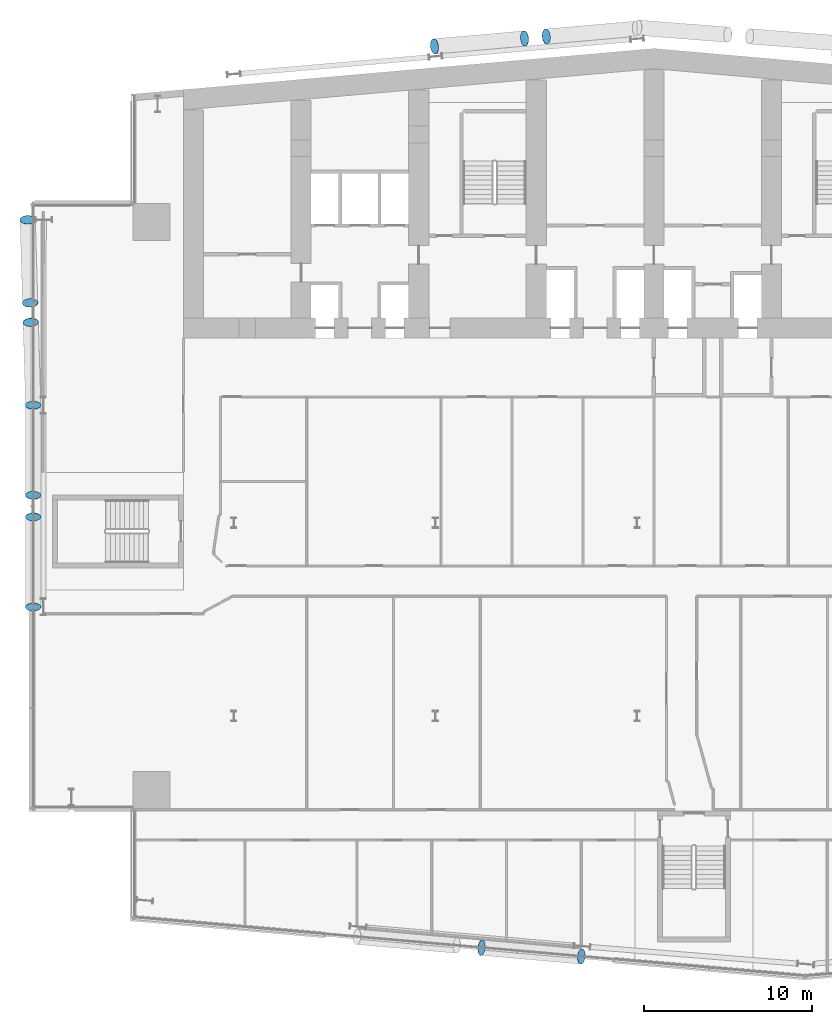
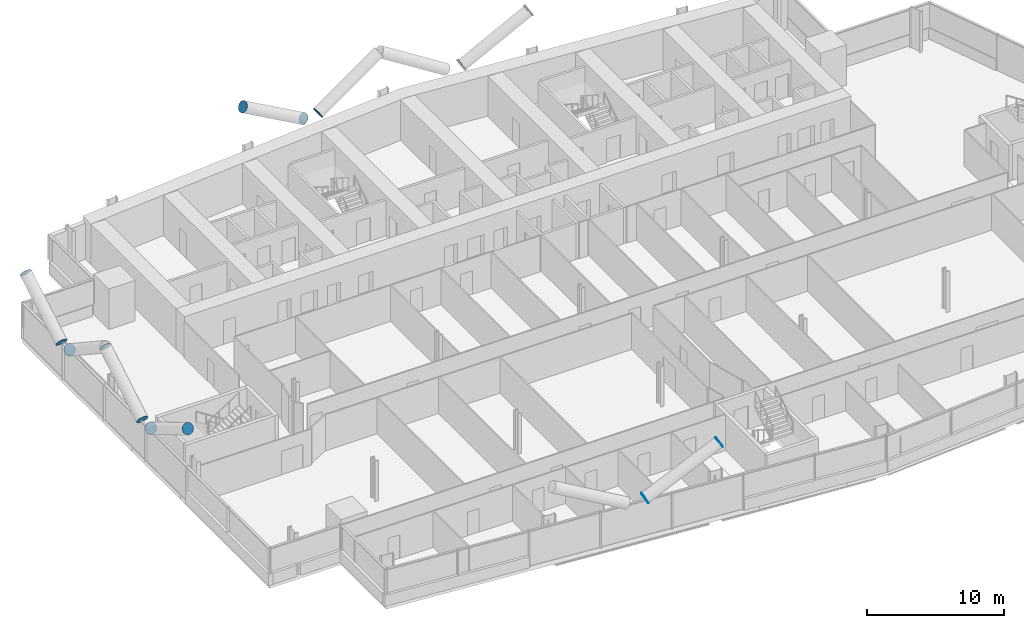
# One storey, part 21 of 27: 12 discrete accessories.
"""IFC4 building model written with IfcOpenShell, lengths in metres."""

import ifcopenshell
import ifcopenshell.guid

model = None  # the IFC model being written
_history = None  # IfcOwnerHistory: only IFC2X3 demands one
_inside = {}  # id of a spatial element -> (the spatial element, [elements in it])
_under = {}  # id of a project, library or spatial element -> (it, [spatial elements below it])
_declared = {}  # id of a project -> (the project, [libraries it declares])
_typed = {}  # id of a type object -> (the type object, [elements of that type])
_made_of = {}  # id of a material, layer set ... -> (it, [elements and type objects made of it])


def new_model(schema):
    """Start an empty IFC model of exactly this schema.

    Asked for "IFC4X3", IfcOpenShell would pick the latest addendum, in which some entities
    have other attributes; the version numbers below select the first issue.
    IFC2X3 requires an IfcOwnerHistory on every rooted entity: one is made here for all.
    """
    global model, _history
    if schema == "IFC4X3":
        model = ifcopenshell.file(schema_version=(4, 3, 0, 0))
    else:
        model = ifcopenshell.file(schema=schema)
    _inside.clear()
    _under.clear()
    _declared.clear()
    _typed.clear()
    _made_of.clear()
    _history = None
    if model.schema == "IFC2X3":
        org = make("IfcOrganization", Name="unknown")
        user = make(
            "IfcPersonAndOrganization",
            ThePerson=make("IfcPerson", FamilyName="unknown"),
            TheOrganization=org,
        )
        app = make(
            "IfcApplication",
            ApplicationDeveloper=org,
            Version="unknown",
            ApplicationFullName="unknown",
            ApplicationIdentifier="unknown",
        )
        _history = make(
            "IfcOwnerHistory",
            OwningUser=user,
            OwningApplication=app,
            ChangeAction="ADDED",
            CreationDate=0,
        )
    return model


def make(cls, **values):
    """One entity of the class cls with the attributes given. An attribute that is None is left unset."""
    return model.create_entity(
        cls, **{name: value for name, value in values.items() if value is not None}
    )


def rooted(cls, **values):
    """An entity with a GlobalId (a new one), such as an element, a storey or a relation."""
    return make(cls, GlobalId=ifcopenshell.guid.new(), OwnerHistory=_history, **values)


def si_unit(unit_type, name, prefix=None):
    """IfcSIUnit, for example si_unit("LENGTHUNIT", "METRE", prefix="MILLI")."""
    return make("IfcSIUnit", UnitType=unit_type, Prefix=prefix, Name=name)


def assignment(units):
    """IfcUnitAssignment: the units of a project."""
    return None if units is None else make("IfcUnitAssignment", Units=units)


def point(xyz):
    """IfcCartesianPoint."""
    return None if xyz is None else make("IfcCartesianPoint", Coordinates=xyz)


def direction(xyz):
    """IfcDirection."""
    return None if xyz is None else make("IfcDirection", DirectionRatios=xyz)


def frame(location, z_axis=None, x_axis=None):
    """IfcAxis2Placement3D, a coordinate frame: its origin and axes. An axis left out is left unset."""
    return make(
        "IfcAxis2Placement3D",
        Location=point(location),
        Axis=direction(z_axis),
        RefDirection=direction(x_axis),
    )


def frame_2d(location, x_axis=None):
    """IfcAxis2Placement2D, a coordinate frame in the plane: its origin and x axis."""
    return make(
        "IfcAxis2Placement2D", Location=point(location), RefDirection=direction(x_axis)
    )


def origin():
    """The frame at (0, 0, 0) with its axes left unset."""
    return frame((0.0, 0.0, 0.0))


def origin_2d():
    """The frame at (0, 0) in the plane with its x axis left unset."""
    return frame_2d((0.0, 0.0))


def place(relative_to, where):
    """IfcLocalPlacement: puts the frame where relative to a parent placement (None: the world)."""
    return make(
        "IfcLocalPlacement", PlacementRelTo=relative_to, RelativePlacement=where
    )


def context(
    kind, dimensions, precision=None, world=None, true_north=None, identifier=None
):
    """IfcGeometricRepresentationContext, for example the 3D "Model" context."""
    return make(
        "IfcGeometricRepresentationContext",
        ContextIdentifier=identifier,
        ContextType=kind,
        CoordinateSpaceDimension=dimensions,
        Precision=precision,
        WorldCoordinateSystem=world,
        TrueNorth=true_north,
    )


def subcontext(parent, identifier, kind, view, scale=None):
    """IfcGeometricRepresentationSubContext, for example "Body" below "Model"."""
    return make(
        "IfcGeometricRepresentationSubContext",
        ContextIdentifier=identifier,
        ContextType=kind,
        ParentContext=parent,
        TargetScale=scale,
        TargetView=view,
    )


def project(units=None, contexts=None):
    """IfcProject with its units and contexts."""
    return rooted(
        "IfcProject",
        Name="project",
        RepresentationContexts=contexts,
        UnitsInContext=assignment(units),
    )


def spatial(cls, under=None, at=None, **own):
    """A site, building, storey or space (cls), placed at a placement, below another one or the project."""
    s = rooted(cls, ObjectPlacement=at, **own)
    if under is not None:
        _under.setdefault(under.id(), (under, []))[1].append(s)
    return s


def profile(cls, at=None, kind="AREA", **sizes):
    """A parametric profile (cls). Its sizes go by their IFC names, for example OverallWidth=200.0."""
    return make(cls, ProfileType=kind, Position=at, **sizes)


def circle(**sizes):
    """IfcCircleProfileDef."""
    return profile("IfcCircleProfileDef", **sizes)


def extrude(swept, where, along, depth):
    """IfcExtrudedAreaSolid: the profile swept, set in the frame where, extruded along a direction by depth."""
    return make(
        "IfcExtrudedAreaSolid",
        SweptArea=swept,
        Position=where,
        ExtrudedDirection=direction(along),
        Depth=depth,
    )


def shape(context_of_items, identifier, shape_type, items):
    """IfcShapeRepresentation: the items that make up one representation, for example the "Body"."""
    return make(
        "IfcShapeRepresentation",
        ContextOfItems=context_of_items,
        RepresentationIdentifier=identifier,
        RepresentationType=shape_type,
        Items=items,
    )


def material(Name=None, Category=None):
    """IfcMaterial."""
    return make("IfcMaterial", Name=Name, Category=Category)


def material_profile(
    of_material, cross_section, Name=None, Category=None, Priority=None
):
    """IfcMaterialProfile: a cross section and its material."""
    return make(
        "IfcMaterialProfile",
        Name=Name,
        Material=of_material,
        Profile=cross_section,
        Priority=Priority,
        Category=Category,
    )


def profile_set(profiles, Name=None, composite=None):
    """IfcMaterialProfileSet."""
    return make(
        "IfcMaterialProfileSet",
        Name=Name,
        MaterialProfiles=profiles,
        CompositeProfile=composite,
    )


def made_of(thing, what):
    """Note that an element or type object is made of a material, layer set ...; save() writes the relation."""
    if what is not None:
        _made_of.setdefault(what.id(), (what, []))[1].append(thing)
    return thing


def type_object(cls, material=None, **own):
    """A type object (cls), such as IfcWallType, which elements share."""
    return made_of(rooted(cls, **own), material)


def element(
    cls,
    number,
    at=None,
    inside=None,
    cuts=None,
    type_object=None,
    material=None,
    context=None,
    identifier="Body",
    shape_type=None,
    held_by="IfcProductDefinitionShape",
    body=None,
    shapes=None,
    **own,
):
    """One element of the class cls, such as IfcWall. Its Tag is "e" and its number.

    at: its placement. inside: the storey or other place that contains it. cuts: it is an
    opening in that element (IfcRelVoidsElement). A single representation is given by context,
    identifier, shape_type and body (its items); several are given by shapes. held_by: the class
    of the entity that holds the representations. save() writes the other relations.
    """
    e = rooted(cls, Tag="e%d" % number, ObjectPlacement=at, **own)
    if body is not None:
        shapes = [shape(context, identifier, shape_type, body)]
    if shapes is not None:
        e.Representation = make(held_by, Representations=shapes)
    if inside is not None:
        _inside.setdefault(inside.id(), (inside, []))[1].append(e)
    if cuts is not None:
        rooted(
            "IfcRelVoidsElement", RelatingBuildingElement=cuts, RelatedOpeningElement=e
        )
    if type_object is not None:
        _typed.setdefault(type_object.id(), (type_object, []))[1].append(e)
    return made_of(e, material)


def aggregate(whole, parts):
    """IfcRelAggregates: a whole, such as a stair, and the parts it consists of."""
    return rooted("IfcRelAggregates", RelatingObject=whole, RelatedObjects=parts)


def save(model, path):
    """Write the relations noted so far, then the file.

    IfcRelAggregates (storeys below a building ...), IfcRelContainedInSpatialStructure (elements
    in a storey), IfcRelDefinesByType, IfcRelAssociatesMaterial and IfcRelDeclares: one each for
    every whole, place, type object, material and project.
    """
    for whole, parts in _under.values():
        aggregate(whole, parts)
    for where, things in _inside.values():
        rooted(
            "IfcRelContainedInSpatialStructure",
            RelatedElements=things,
            RelatingStructure=where,
        )
    for kind, things in _typed.values():
        rooted("IfcRelDefinesByType", RelatedObjects=things, RelatingType=kind)
    for what, things in _made_of.values():
        rooted("IfcRelAssociatesMaterial", RelatedObjects=things, RelatingMaterial=what)
    for by, libraries in _declared.values():
        rooted("IfcRelDeclares", RelatingContext=by, RelatedDefinitions=libraries)
    model.write(path)


model = new_model("IFC4")

# Units and contexts
model_context = context("Model", 3, precision=1e-05, world=origin(), true_north=direction((0.0, 1.0)))
body_context = subcontext(model_context, "Body", "Model", "MODEL_VIEW")
ifc_project = project(units=[si_unit("LENGTHUNIT", "METRE"), si_unit("AREAUNIT", "SQUARE_METRE"), si_unit("VOLUMEUNIT", "CUBIC_METRE"), si_unit("PLANEANGLEUNIT", "RADIAN"), si_unit("MASSUNIT", "GRAM", prefix="KILO")], contexts=[model_context])

# Site, building, storey
site_placement = place(None, origin())
site = spatial("IfcSite", under=ifc_project, at=site_placement, CompositionType="ELEMENT")
building_placement = place(site_placement, origin())
building = spatial("IfcBuilding", under=site, at=building_placement, Name="Wharfspan Tower", CompositionType="ELEMENT")
storey_placement = place(building_placement, frame((0.0, 0.0, 55.899902)))
storey = spatial("IfcBuildingStorey", under=building, at=storey_placement, Name="L10", CompositionType="ELEMENT", Elevation=55.899902)

# Discrete accessories
ifc_material = material(Name="Steel S460NH", Category="steel")
ifc_material_profile = material_profile(ifc_material, circle(Radius=0.457031, at=origin_2d()))
ifc_profile_set = profile_set([ifc_material_profile], Name="Steel S460NH")
discrete_accessory_type = type_object("IfcDiscreteAccessoryType", Name="End plate CHS 914x40", PredefinedType="BRACKET", material=ifc_profile_set)
for number, where, z_axis, x_axis, name in (
    (1, (26.737549, -2.283936, 3.295898), (0.880146, -0.097794, 0.464521), (0.110432, 0.993888, 0.0), "End plate CHS 914x40"),
    (2, (32.671387, -2.803223, 6.5), (0.871847, -0.072654, 0.484359), (0.083044, 0.996547, 3e-06), "End plate CHS 914x40"),
):
    element("IfcDiscreteAccessory", number, at=place(storey_placement, frame(where, z_axis=z_axis, x_axis=x_axis)), inside=storey, type_object=discrete_accessory_type, Name=name, PredefinedType="BRACKET", context=body_context, shape_type="SweptSolid", body=[
        extrude(circle(Radius=0.457031, at=origin_2d()), origin(), (0.0, 0.0, 1.0), 0.01001),
    ])
discrete_accessory_1_placement = place(storey_placement, frame((0.054932, 23.358887, 3.284912), z_axis=(0.0, -0.863779, 0.503871), x_axis=(1.0, 0.0, 0.0)))
element("IfcDiscreteAccessory", 3, at=discrete_accessory_1_placement, inside=storey, type_object=discrete_accessory_type, Name="End plate CHS 914x40", PredefinedType="BRACKET", context=body_context, shape_type="SweptSolid", body=[
    extrude(circle(Radius=0.457031, at=origin_2d()), origin(), (0.0, 0.0, 1.0), 0.010254),
])
discrete_accessory_2_placement = place(storey_placement, frame((0.054932, 18.0, 6.5), z_axis=(0.0, -0.857493, 0.514496), x_axis=(1.0, 0.0, 0.0)))
element("IfcDiscreteAccessory", 4, at=discrete_accessory_2_placement, inside=storey, type_object=discrete_accessory_type, Name="End plate CHS 914x40", PredefinedType="BRACKET", context=body_context, shape_type="SweptSolid", body=[
    extrude(circle(Radius=0.457031, at=origin_2d()), origin(), (0.0, 0.0, 1.0), 0.01001),
])
discrete_accessory_3_placement = place(storey_placement, frame((0.054932, 24.641113, 3.284912), z_axis=(0.0, 0.863779, 0.503871), x_axis=(-1.0, 0.0, 0.0)))
element("IfcDiscreteAccessory", 5, at=discrete_accessory_3_placement, inside=storey, type_object=discrete_accessory_type, Name="End plate CHS 914x40", PredefinedType="BRACKET", context=body_context, shape_type="SweptSolid", body=[
    extrude(circle(Radius=0.457031, at=origin_2d()), origin(), (0.0, 0.0, 1.0), 0.010254),
])
for number, where, z_axis, x_axis, name in (
    (6, (0.054932, 30.0, 6.5), (0.0, 0.857493, 0.514496), (-1.0, 0.0, 0.0), "End plate CHS 914x40"),
    (7, (-0.092041, 34.941895, 3.275391), (0.024686, -0.839314, 0.543086), (0.999566, 0.0294, 1e-06), "End plate CHS 914x40"),
    (8, (-0.126221, 36.092285, 3.275391), (-0.024686, 0.839314, 0.543086), (-0.999566, -0.0294, 1e-06), "End plate CHS 914x40"),
):
    element("IfcDiscreteAccessory", number, at=place(storey_placement, frame(where, z_axis=z_axis, x_axis=x_axis)), inside=storey, type_object=discrete_accessory_type, Name=name, PredefinedType="BRACKET", context=body_context, shape_type="SweptSolid", body=[
        extrude(circle(Radius=0.457031, at=origin_2d()), origin(), (0.0, 0.0, 1.0), 0.01001),
    ])
discrete_accessory_4_placement = place(storey_placement, frame((-0.273193, 41.03418, 6.5), z_axis=(-0.02387, 0.835467, 0.549021), x_axis=(-0.999596, -0.028558, -2e-06)))
element("IfcDiscreteAccessory", 9, at=discrete_accessory_4_placement, inside=storey, type_object=discrete_accessory_type, Name="End plate CHS 914x40", PredefinedType="BRACKET", context=body_context, shape_type="SweptSolid", body=[
    extrude(circle(Radius=0.457031, at=origin_2d()), origin(), (0.0, 0.0, 1.0), 0.010254),
])
for number, where, z_axis, x_axis, name in (
    (10, (30.589111, 51.944092, 3.285156), (0.855186, 0.073302, 0.513112), (-0.085402, 0.996345, 1e-06), "End plate CHS 914x40"),
    (11, (29.30542, 51.831787, 3.285156), (-0.855186, -0.073302, 0.513112), (0.085402, -0.996345, 1e-06), "End plate CHS 914x40"),
    (12, (23.947266, 51.363037, 6.5), (-0.853405, -0.097532, 0.512043), (0.113547, -0.993531, 1e-06), "End plate CHS 914x40"),
):
    element("IfcDiscreteAccessory", number, at=place(storey_placement, frame(where, z_axis=z_axis, x_axis=x_axis)), inside=storey, type_object=discrete_accessory_type, Name=name, PredefinedType="BRACKET", context=body_context, shape_type="SweptSolid", body=[
        extrude(circle(Radius=0.457031, at=origin_2d()), origin(), (0.0, 0.0, 1.0), 0.01001),
    ])

save(model, "model.ifc")
